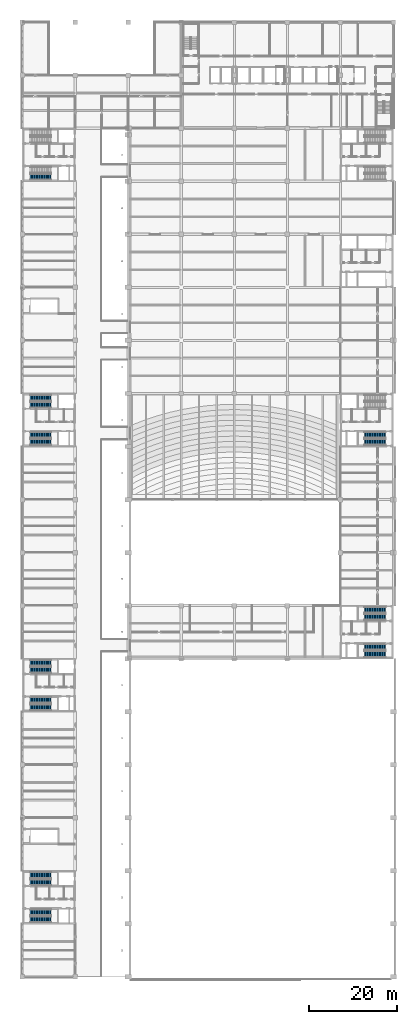
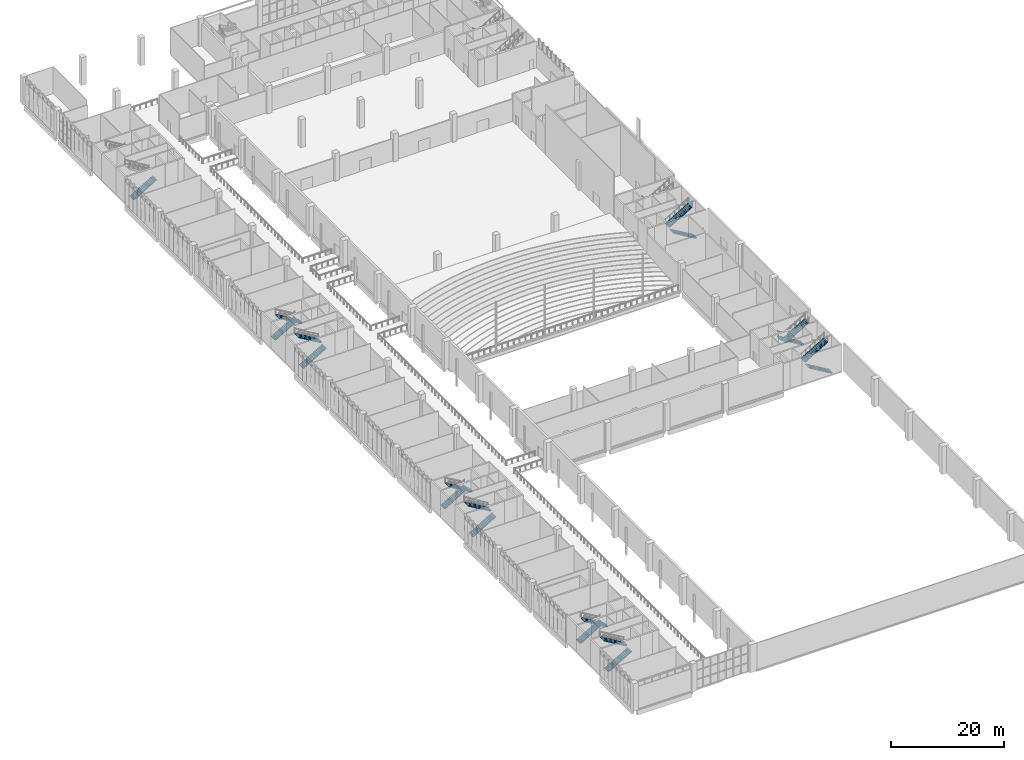
# One storey, part 68 of 72: 19 stair flights, 10 elements without a shape of their own.
"""IFC4 building model written with IfcOpenShell, lengths in metres."""

from ifc_helpers import new_model, si_unit, direction, frame, origin, place, context, subcontext, project, spatial, polyline, outline, extrude, material, type_object, element, aggregate, save


model = new_model("IFC4")

# Units and contexts
model_context = context("Model", 3, precision=1e-05, world=origin(), true_north=direction((0.0, 1.0)))
body_context = subcontext(model_context, "Body", "Model", "MODEL_VIEW")
ifc_project = project(units=[si_unit("LENGTHUNIT", "METRE"), si_unit("AREAUNIT", "SQUARE_METRE"), si_unit("VOLUMEUNIT", "CUBIC_METRE"), si_unit("PLANEANGLEUNIT", "RADIAN"), si_unit("MASSUNIT", "GRAM", prefix="KILO")], contexts=[model_context])

# Site, building, storey
site_placement = place(None, origin())
site = spatial("IfcSite", under=ifc_project, at=site_placement, CompositionType="ELEMENT")
building_placement = place(site_placement, origin())
building = spatial("IfcBuilding", under=site, at=building_placement, Name="Lilac Gate Convention Centre", CompositionType="ELEMENT")
storey_placement = place(building_placement, frame((0.0, 0.0, 6.0)))
storey = spatial("IfcBuildingStorey", under=building, at=storey_placement, Name="L01", CompositionType="ELEMENT", Elevation=6.0)

# Stair, stair flights
ifc_material = material(Name="Concrete C40", Category="concrete")
stair_type = type_object("IfcStairType", Name="Exit stair two flights", PredefinedType="HALF_TURN_STAIR", material=ifc_material)
stair_1_placement = place(storey_placement, origin())
stair_1 = element("IfcStair", 1, at=stair_1_placement, inside=storey, type_object=stair_type, Name="Exit stair W1A L01 to L02", PredefinedType="HALF_TURN_STAIR")
stair_flight_type = type_object("IfcStairFlightType", Name="Stair flight 1400 precast", PredefinedType="STRAIGHT", material=ifc_material)
stair_flight_1_placement = place(storey_placement, frame((7.800048828125, 43.0, 0.0), z_axis=(0.0, 0.0, 1.0), x_axis=(1.0, 0.0, 0.0)))
stair_flight_1 = element("IfcStairFlight", 2, at=stair_flight_1_placement, type_object=stair_flight_type, Name="ST3 flight 1", NumberOfRisers=18, NumberOfTreads=17, PredefinedType="STRAIGHT", RiserHeight=0.166666667, TreadLength=0.28, context=body_context, shape_type="SweptSolid", body=[
    extrude(outline(polyline([(0.0, 0.0), (0.0, 0.166748046875), (0.280029296875, 0.166748046875), (0.280029296875, 0.333251953125), (0.56005859375, 0.333251953125), (0.56005859375, 0.5), (0.840087890625, 0.5), (0.840087890625, 0.666748046875), (1.1201171875, 0.666748046875), (1.1201171875, 0.833251953125), (1.39990234375, 0.833251953125), (1.39990234375, 1.0), (1.679931640625, 1.0), (1.679931640625, 1.166748046875), (1.9599609375, 1.166748046875), (1.9599609375, 1.333251953125), (2.239990234375, 1.333251953125), (2.239990234375, 1.5), (2.52001953125, 1.5), (2.52001953125, 1.666748046875), (2.800048828125, 1.666748046875), (2.800048828125, 1.833251953125), (3.080078125, 1.833251953125), (3.080078125, 2.0), (3.360107421875, 2.0), (3.360107421875, 2.166748046875), (3.639892578125, 2.166748046875), (3.639892578125, 2.333251953125), (3.919921875, 2.333251953125), (3.919921875, 2.5), (4.199951171875, 2.5), (4.199951171875, 2.666748046875), (4.47998046875, 2.666748046875), (4.47998046875, 2.833251953125), (4.760009765625, 2.833251953125), (4.760009765625, 3.0), (4.760009765625, 2.658935546875), (0.29296875, 0.0), (0.0, 0.0)])), frame((0.0, 0.699951171875, 0.0), z_axis=(0.0, -1.0, 0.0), x_axis=(1.0, 0.0, 0.0)), (0.0, 0.0, 1.0), 1.39990234375),
])
stair_flight_2_placement = place(storey_placement, frame((12.56005859375, 44.60009765625, 3.0), z_axis=(0.0, 0.0, 1.0), x_axis=(-1.0, 0.0, 0.0)))
stair_flight_2 = element("IfcStairFlight", 3, at=stair_flight_2_placement, type_object=stair_flight_type, Name="ST3 flight 2", NumberOfRisers=18, NumberOfTreads=17, PredefinedType="STRAIGHT", RiserHeight=0.166666667, TreadLength=0.28, context=body_context, shape_type="SweptSolid", body=[
    extrude(outline(polyline([(0.0, 0.0), (0.0, 0.166748046875), (0.280029296875, 0.166748046875), (0.280029296875, 0.333251953125), (0.56005859375, 0.333251953125), (0.56005859375, 0.5), (0.840087890625, 0.5), (0.840087890625, 0.666748046875), (1.1201171875, 0.666748046875), (1.1201171875, 0.833251953125), (1.39990234375, 0.833251953125), (1.39990234375, 1.0), (1.679931640625, 1.0), (1.679931640625, 1.166748046875), (1.9599609375, 1.166748046875), (1.9599609375, 1.333251953125), (2.239990234375, 1.333251953125), (2.239990234375, 1.5), (2.52001953125, 1.5), (2.52001953125, 1.666748046875), (2.800048828125, 1.666748046875), (2.800048828125, 1.833251953125), (3.080078125, 1.833251953125), (3.080078125, 2.0), (3.360107421875, 2.0), (3.360107421875, 2.166748046875), (3.639892578125, 2.166748046875), (3.639892578125, 2.333251953125), (3.919921875, 2.333251953125), (3.919921875, 2.5), (4.199951171875, 2.5), (4.199951171875, 2.666748046875), (4.47998046875, 2.666748046875), (4.47998046875, 2.833251953125), (4.760009765625, 2.833251953125), (4.760009765625, 3.0), (4.760009765625, 2.658935546875), (0.29296875, 0.0), (0.0, 0.0)])), frame((0.0, 0.699951171875, 0.0), z_axis=(0.0, -1.0, 0.0), x_axis=(1.0, 0.0, 0.0)), (0.0, 0.0, 1.0), 1.39990234375),
])
aggregate(stair_1, [stair_flight_1, stair_flight_2])

stair_2_placement = place(storey_placement, origin())
stair_2 = element("IfcStair", 4, at=stair_2_placement, inside=storey, type_object=stair_type, Name="Exit stair W1B L01 to L02", PredefinedType="HALF_TURN_STAIR")
stair_flight_3_placement = place(storey_placement, frame((7.800048828125, 53.0, 0.0), z_axis=(0.0, 0.0, 1.0), x_axis=(1.0, 0.0, 0.0)))
stair_flight_3 = element("IfcStairFlight", 5, at=stair_flight_3_placement, type_object=stair_flight_type, Name="ST4 flight 1", NumberOfRisers=18, NumberOfTreads=17, PredefinedType="STRAIGHT", RiserHeight=0.166666667, TreadLength=0.28, context=body_context, shape_type="SweptSolid", body=[
    extrude(outline(polyline([(0.0, 0.0), (0.0, 0.166748046875), (0.280029296875, 0.166748046875), (0.280029296875, 0.333251953125), (0.56005859375, 0.333251953125), (0.56005859375, 0.5), (0.840087890625, 0.5), (0.840087890625, 0.666748046875), (1.1201171875, 0.666748046875), (1.1201171875, 0.833251953125), (1.39990234375, 0.833251953125), (1.39990234375, 1.0), (1.679931640625, 1.0), (1.679931640625, 1.166748046875), (1.9599609375, 1.166748046875), (1.9599609375, 1.333251953125), (2.239990234375, 1.333251953125), (2.239990234375, 1.5), (2.52001953125, 1.5), (2.52001953125, 1.666748046875), (2.800048828125, 1.666748046875), (2.800048828125, 1.833251953125), (3.080078125, 1.833251953125), (3.080078125, 2.0), (3.360107421875, 2.0), (3.360107421875, 2.166748046875), (3.639892578125, 2.166748046875), (3.639892578125, 2.333251953125), (3.919921875, 2.333251953125), (3.919921875, 2.5), (4.199951171875, 2.5), (4.199951171875, 2.666748046875), (4.47998046875, 2.666748046875), (4.47998046875, 2.833251953125), (4.760009765625, 2.833251953125), (4.760009765625, 3.0), (4.760009765625, 2.658935546875), (0.29296875, 0.0), (0.0, 0.0)])), frame((0.0, 0.699951171875, 0.0), z_axis=(0.0, -1.0, 0.0), x_axis=(1.0, 0.0, 0.0)), (0.0, 0.0, 1.0), 1.39990234375),
])
stair_flight_4_placement = place(storey_placement, frame((12.56005859375, 51.39990234375, 3.0), z_axis=(0.0, 0.0, 1.0), x_axis=(-1.0, 0.0, 0.0)))
stair_flight_4 = element("IfcStairFlight", 6, at=stair_flight_4_placement, type_object=stair_flight_type, Name="ST4 flight 2", NumberOfRisers=18, NumberOfTreads=17, PredefinedType="STRAIGHT", RiserHeight=0.166666667, TreadLength=0.28, context=body_context, shape_type="SweptSolid", body=[
    extrude(outline(polyline([(0.0, 0.0), (0.0, 0.166748046875), (0.280029296875, 0.166748046875), (0.280029296875, 0.333251953125), (0.56005859375, 0.333251953125), (0.56005859375, 0.5), (0.840087890625, 0.5), (0.840087890625, 0.666748046875), (1.1201171875, 0.666748046875), (1.1201171875, 0.833251953125), (1.39990234375, 0.833251953125), (1.39990234375, 1.0), (1.679931640625, 1.0), (1.679931640625, 1.166748046875), (1.9599609375, 1.166748046875), (1.9599609375, 1.333251953125), (2.239990234375, 1.333251953125), (2.239990234375, 1.5), (2.52001953125, 1.5), (2.52001953125, 1.666748046875), (2.800048828125, 1.666748046875), (2.800048828125, 1.833251953125), (3.080078125, 1.833251953125), (3.080078125, 2.0), (3.360107421875, 2.0), (3.360107421875, 2.166748046875), (3.639892578125, 2.166748046875), (3.639892578125, 2.333251953125), (3.919921875, 2.333251953125), (3.919921875, 2.5), (4.199951171875, 2.5), (4.199951171875, 2.666748046875), (4.47998046875, 2.666748046875), (4.47998046875, 2.833251953125), (4.760009765625, 2.833251953125), (4.760009765625, 3.0), (4.760009765625, 2.658935546875), (0.29296875, 0.0), (0.0, 0.0)])), frame((0.0, 0.699951171875, 0.0), z_axis=(0.0, -1.0, 0.0), x_axis=(1.0, 0.0, 0.0)), (0.0, 0.0, 1.0), 1.39990234375),
])
aggregate(stair_2, [stair_flight_3, stair_flight_4])

stair_3_placement = place(storey_placement, origin())
stair_3 = element("IfcStair", 7, at=stair_3_placement, inside=storey, type_object=stair_type, Name="Exit stair W2A L01 to L02", PredefinedType="HALF_TURN_STAIR")
stair_flight_5_placement = place(storey_placement, frame((7.800048828125, 91.0, 0.0), z_axis=(0.0, 0.0, 1.0), x_axis=(1.0, 0.0, 0.0)))
stair_flight_5 = element("IfcStairFlight", 8, at=stair_flight_5_placement, type_object=stair_flight_type, Name="ST9 flight 1", NumberOfRisers=18, NumberOfTreads=17, PredefinedType="STRAIGHT", RiserHeight=0.166666667, TreadLength=0.28, context=body_context, shape_type="SweptSolid", body=[
    extrude(outline(polyline([(0.0, 0.0), (0.0, 0.166748046875), (0.280029296875, 0.166748046875), (0.280029296875, 0.333251953125), (0.56005859375, 0.333251953125), (0.56005859375, 0.5), (0.840087890625, 0.5), (0.840087890625, 0.666748046875), (1.1201171875, 0.666748046875), (1.1201171875, 0.833251953125), (1.39990234375, 0.833251953125), (1.39990234375, 1.0), (1.679931640625, 1.0), (1.679931640625, 1.166748046875), (1.9599609375, 1.166748046875), (1.9599609375, 1.333251953125), (2.239990234375, 1.333251953125), (2.239990234375, 1.5), (2.52001953125, 1.5), (2.52001953125, 1.666748046875), (2.800048828125, 1.666748046875), (2.800048828125, 1.833251953125), (3.080078125, 1.833251953125), (3.080078125, 2.0), (3.360107421875, 2.0), (3.360107421875, 2.166748046875), (3.639892578125, 2.166748046875), (3.639892578125, 2.333251953125), (3.919921875, 2.333251953125), (3.919921875, 2.5), (4.199951171875, 2.5), (4.199951171875, 2.666748046875), (4.47998046875, 2.666748046875), (4.47998046875, 2.833251953125), (4.760009765625, 2.833251953125), (4.760009765625, 3.0), (4.760009765625, 2.658935546875), (0.29296875, 0.0), (0.0, 0.0)])), frame((0.0, 0.699951171875, 0.0), z_axis=(0.0, -1.0, 0.0), x_axis=(1.0, 0.0, 0.0)), (0.0, 0.0, 1.0), 1.39990234375),
])
stair_flight_6_placement = place(storey_placement, frame((12.56005859375, 92.60009765625, 3.0), z_axis=(0.0, 0.0, 1.0), x_axis=(-1.0, 0.0, 0.0)))
stair_flight_6 = element("IfcStairFlight", 9, at=stair_flight_6_placement, type_object=stair_flight_type, Name="ST9 flight 2", NumberOfRisers=18, NumberOfTreads=17, PredefinedType="STRAIGHT", RiserHeight=0.166666667, TreadLength=0.28, context=body_context, shape_type="SweptSolid", body=[
    extrude(outline(polyline([(0.0, 0.0), (0.0, 0.166748046875), (0.280029296875, 0.166748046875), (0.280029296875, 0.333251953125), (0.56005859375, 0.333251953125), (0.56005859375, 0.5), (0.840087890625, 0.5), (0.840087890625, 0.666748046875), (1.1201171875, 0.666748046875), (1.1201171875, 0.833251953125), (1.39990234375, 0.833251953125), (1.39990234375, 1.0), (1.679931640625, 1.0), (1.679931640625, 1.166748046875), (1.9599609375, 1.166748046875), (1.9599609375, 1.333251953125), (2.239990234375, 1.333251953125), (2.239990234375, 1.5), (2.52001953125, 1.5), (2.52001953125, 1.666748046875), (2.800048828125, 1.666748046875), (2.800048828125, 1.833251953125), (3.080078125, 1.833251953125), (3.080078125, 2.0), (3.360107421875, 2.0), (3.360107421875, 2.166748046875), (3.639892578125, 2.166748046875), (3.639892578125, 2.333251953125), (3.919921875, 2.333251953125), (3.919921875, 2.5), (4.199951171875, 2.5), (4.199951171875, 2.666748046875), (4.47998046875, 2.666748046875), (4.47998046875, 2.833251953125), (4.760009765625, 2.833251953125), (4.760009765625, 3.0), (4.760009765625, 2.658935546875), (0.29296875, 0.0), (0.0, 0.0)])), frame((0.0, 0.699951171875, 0.0), z_axis=(0.0, -1.0, 0.0), x_axis=(1.0, 0.0, 0.0)), (0.0, 0.0, 1.0), 1.39990234375),
])
aggregate(stair_3, [stair_flight_5, stair_flight_6])

stair_4_placement = place(storey_placement, origin())
stair_4 = element("IfcStair", 10, at=stair_4_placement, inside=storey, type_object=stair_type, Name="Exit stair W2B L01 to L02", PredefinedType="HALF_TURN_STAIR")
stair_flight_7_placement = place(storey_placement, frame((7.800048828125, 101.0, 0.0), z_axis=(0.0, 0.0, 1.0), x_axis=(1.0, 0.0, 0.0)))
stair_flight_7 = element("IfcStairFlight", 11, at=stair_flight_7_placement, type_object=stair_flight_type, Name="ST10 flight 1", NumberOfRisers=18, NumberOfTreads=17, PredefinedType="STRAIGHT", RiserHeight=0.166666667, TreadLength=0.28, context=body_context, shape_type="SweptSolid", body=[
    extrude(outline(polyline([(0.0, 0.0), (0.0, 0.166748046875), (0.280029296875, 0.166748046875), (0.280029296875, 0.333251953125), (0.56005859375, 0.333251953125), (0.56005859375, 0.5), (0.840087890625, 0.5), (0.840087890625, 0.666748046875), (1.1201171875, 0.666748046875), (1.1201171875, 0.833251953125), (1.39990234375, 0.833251953125), (1.39990234375, 1.0), (1.679931640625, 1.0), (1.679931640625, 1.166748046875), (1.9599609375, 1.166748046875), (1.9599609375, 1.333251953125), (2.239990234375, 1.333251953125), (2.239990234375, 1.5), (2.52001953125, 1.5), (2.52001953125, 1.666748046875), (2.800048828125, 1.666748046875), (2.800048828125, 1.833251953125), (3.080078125, 1.833251953125), (3.080078125, 2.0), (3.360107421875, 2.0), (3.360107421875, 2.166748046875), (3.639892578125, 2.166748046875), (3.639892578125, 2.333251953125), (3.919921875, 2.333251953125), (3.919921875, 2.5), (4.199951171875, 2.5), (4.199951171875, 2.666748046875), (4.47998046875, 2.666748046875), (4.47998046875, 2.833251953125), (4.760009765625, 2.833251953125), (4.760009765625, 3.0), (4.760009765625, 2.658935546875), (0.29296875, 0.0), (0.0, 0.0)])), frame((0.0, 0.699951171875, 0.0), z_axis=(0.0, -1.0, 0.0), x_axis=(1.0, 0.0, 0.0)), (0.0, 0.0, 1.0), 1.39990234375),
])
stair_flight_8_placement = place(storey_placement, frame((12.56005859375, 99.39990234375, 3.0), z_axis=(0.0, 0.0, 1.0), x_axis=(-1.0, 0.0, 0.0)))
stair_flight_8 = element("IfcStairFlight", 12, at=stair_flight_8_placement, type_object=stair_flight_type, Name="ST10 flight 2", NumberOfRisers=18, NumberOfTreads=17, PredefinedType="STRAIGHT", RiserHeight=0.166666667, TreadLength=0.28, context=body_context, shape_type="SweptSolid", body=[
    extrude(outline(polyline([(0.0, 0.0), (0.0, 0.166748046875), (0.280029296875, 0.166748046875), (0.280029296875, 0.333251953125), (0.56005859375, 0.333251953125), (0.56005859375, 0.5), (0.840087890625, 0.5), (0.840087890625, 0.666748046875), (1.1201171875, 0.666748046875), (1.1201171875, 0.833251953125), (1.39990234375, 0.833251953125), (1.39990234375, 1.0), (1.679931640625, 1.0), (1.679931640625, 1.166748046875), (1.9599609375, 1.166748046875), (1.9599609375, 1.333251953125), (2.239990234375, 1.333251953125), (2.239990234375, 1.5), (2.52001953125, 1.5), (2.52001953125, 1.666748046875), (2.800048828125, 1.666748046875), (2.800048828125, 1.833251953125), (3.080078125, 1.833251953125), (3.080078125, 2.0), (3.360107421875, 2.0), (3.360107421875, 2.166748046875), (3.639892578125, 2.166748046875), (3.639892578125, 2.333251953125), (3.919921875, 2.333251953125), (3.919921875, 2.5), (4.199951171875, 2.5), (4.199951171875, 2.666748046875), (4.47998046875, 2.666748046875), (4.47998046875, 2.833251953125), (4.760009765625, 2.833251953125), (4.760009765625, 3.0), (4.760009765625, 2.658935546875), (0.29296875, 0.0), (0.0, 0.0)])), frame((0.0, 0.699951171875, 0.0), z_axis=(0.0, -1.0, 0.0), x_axis=(1.0, 0.0, 0.0)), (0.0, 0.0, 1.0), 1.39990234375),
])
aggregate(stair_4, [stair_flight_7, stair_flight_8])

stair_5_placement = place(storey_placement, origin())
stair_5 = element("IfcStair", 13, at=stair_5_placement, inside=storey, type_object=stair_type, Name="Exit stair W3A L01 to L02", PredefinedType="HALF_TURN_STAIR")
stair_flight_9_placement = place(storey_placement, frame((7.800048828125, 151.0, 0.0), z_axis=(0.0, 0.0, 1.0), x_axis=(1.0, 0.0, 0.0)))
stair_flight_9 = element("IfcStairFlight", 14, at=stair_flight_9_placement, type_object=stair_flight_type, Name="ST15 flight 1", NumberOfRisers=18, NumberOfTreads=17, PredefinedType="STRAIGHT", RiserHeight=0.166666667, TreadLength=0.28, context=body_context, shape_type="SweptSolid", body=[
    extrude(outline(polyline([(0.0, 0.0), (0.0, 0.166748046875), (0.280029296875, 0.166748046875), (0.280029296875, 0.333251953125), (0.56005859375, 0.333251953125), (0.56005859375, 0.5), (0.840087890625, 0.5), (0.840087890625, 0.666748046875), (1.1201171875, 0.666748046875), (1.1201171875, 0.833251953125), (1.39990234375, 0.833251953125), (1.39990234375, 1.0), (1.679931640625, 1.0), (1.679931640625, 1.166748046875), (1.9599609375, 1.166748046875), (1.9599609375, 1.333251953125), (2.239990234375, 1.333251953125), (2.239990234375, 1.5), (2.52001953125, 1.5), (2.52001953125, 1.666748046875), (2.800048828125, 1.666748046875), (2.800048828125, 1.833251953125), (3.080078125, 1.833251953125), (3.080078125, 2.0), (3.360107421875, 2.0), (3.360107421875, 2.166748046875), (3.639892578125, 2.166748046875), (3.639892578125, 2.333251953125), (3.919921875, 2.333251953125), (3.919921875, 2.5), (4.199951171875, 2.5), (4.199951171875, 2.666748046875), (4.47998046875, 2.666748046875), (4.47998046875, 2.833251953125), (4.760009765625, 2.833251953125), (4.760009765625, 3.0), (4.760009765625, 2.658935546875), (0.29296875, 0.0), (0.0, 0.0)])), frame((0.0, 0.699951171875, 0.0), z_axis=(0.0, -1.0, 0.0), x_axis=(1.0, 0.0, 0.0)), (0.0, 0.0, 1.0), 1.39990234375),
])
stair_flight_10_placement = place(storey_placement, frame((12.56005859375, 152.60009765625, 3.0), z_axis=(0.0, 0.0, 1.0), x_axis=(-1.0, 0.0, 0.0)))
stair_flight_10 = element("IfcStairFlight", 15, at=stair_flight_10_placement, type_object=stair_flight_type, Name="ST15 flight 2", NumberOfRisers=18, NumberOfTreads=17, PredefinedType="STRAIGHT", RiserHeight=0.166666667, TreadLength=0.28, context=body_context, shape_type="SweptSolid", body=[
    extrude(outline(polyline([(0.0, 0.0), (0.0, 0.166748046875), (0.280029296875, 0.166748046875), (0.280029296875, 0.333251953125), (0.56005859375, 0.333251953125), (0.56005859375, 0.5), (0.840087890625, 0.5), (0.840087890625, 0.666748046875), (1.1201171875, 0.666748046875), (1.1201171875, 0.833251953125), (1.39990234375, 0.833251953125), (1.39990234375, 1.0), (1.679931640625, 1.0), (1.679931640625, 1.166748046875), (1.9599609375, 1.166748046875), (1.9599609375, 1.333251953125), (2.239990234375, 1.333251953125), (2.239990234375, 1.5), (2.52001953125, 1.5), (2.52001953125, 1.666748046875), (2.800048828125, 1.666748046875), (2.800048828125, 1.833251953125), (3.080078125, 1.833251953125), (3.080078125, 2.0), (3.360107421875, 2.0), (3.360107421875, 2.166748046875), (3.639892578125, 2.166748046875), (3.639892578125, 2.333251953125), (3.919921875, 2.333251953125), (3.919921875, 2.5), (4.199951171875, 2.5), (4.199951171875, 2.666748046875), (4.47998046875, 2.666748046875), (4.47998046875, 2.833251953125), (4.760009765625, 2.833251953125), (4.760009765625, 3.0), (4.760009765625, 2.658935546875), (0.29296875, 0.0), (0.0, 0.0)])), frame((0.0, 0.699951171875, 0.0), z_axis=(0.0, -1.0, 0.0), x_axis=(1.0, 0.0, 0.0)), (0.0, 0.0, 1.0), 1.39990234375),
])
aggregate(stair_5, [stair_flight_9, stair_flight_10])

stair_6_placement = place(storey_placement, origin())
stair_6 = element("IfcStair", 16, at=stair_6_placement, inside=storey, type_object=stair_type, Name="Exit stair W3B L01 to L02", PredefinedType="HALF_TURN_STAIR")
stair_flight_11_placement = place(storey_placement, frame((7.800048828125, 161.0, 0.0), z_axis=(0.0, 0.0, 1.0), x_axis=(1.0, 0.0, 0.0)))
stair_flight_11 = element("IfcStairFlight", 17, at=stair_flight_11_placement, type_object=stair_flight_type, Name="ST16 flight 1", NumberOfRisers=18, NumberOfTreads=17, PredefinedType="STRAIGHT", RiserHeight=0.166666667, TreadLength=0.28, context=body_context, shape_type="SweptSolid", body=[
    extrude(outline(polyline([(0.0, 0.0), (0.0, 0.166748046875), (0.280029296875, 0.166748046875), (0.280029296875, 0.333251953125), (0.56005859375, 0.333251953125), (0.56005859375, 0.5), (0.840087890625, 0.5), (0.840087890625, 0.666748046875), (1.1201171875, 0.666748046875), (1.1201171875, 0.833251953125), (1.39990234375, 0.833251953125), (1.39990234375, 1.0), (1.679931640625, 1.0), (1.679931640625, 1.166748046875), (1.9599609375, 1.166748046875), (1.9599609375, 1.333251953125), (2.239990234375, 1.333251953125), (2.239990234375, 1.5), (2.52001953125, 1.5), (2.52001953125, 1.666748046875), (2.800048828125, 1.666748046875), (2.800048828125, 1.833251953125), (3.080078125, 1.833251953125), (3.080078125, 2.0), (3.360107421875, 2.0), (3.360107421875, 2.166748046875), (3.639892578125, 2.166748046875), (3.639892578125, 2.333251953125), (3.919921875, 2.333251953125), (3.919921875, 2.5), (4.199951171875, 2.5), (4.199951171875, 2.666748046875), (4.47998046875, 2.666748046875), (4.47998046875, 2.833251953125), (4.760009765625, 2.833251953125), (4.760009765625, 3.0), (4.760009765625, 2.658935546875), (0.29296875, 0.0), (0.0, 0.0)])), frame((0.0, 0.699951171875, 0.0), z_axis=(0.0, -1.0, 0.0), x_axis=(1.0, 0.0, 0.0)), (0.0, 0.0, 1.0), 1.39990234375),
])
stair_flight_12_placement = place(storey_placement, frame((12.56005859375, 159.39990234375, 3.0), z_axis=(0.0, 0.0, 1.0), x_axis=(-1.0, 0.0, 0.0)))
stair_flight_12 = element("IfcStairFlight", 18, at=stair_flight_12_placement, type_object=stair_flight_type, Name="ST16 flight 2", NumberOfRisers=18, NumberOfTreads=17, PredefinedType="STRAIGHT", RiserHeight=0.166666667, TreadLength=0.28, context=body_context, shape_type="SweptSolid", body=[
    extrude(outline(polyline([(0.0, 0.0), (0.0, 0.166748046875), (0.280029296875, 0.166748046875), (0.280029296875, 0.333251953125), (0.56005859375, 0.333251953125), (0.56005859375, 0.5), (0.840087890625, 0.5), (0.840087890625, 0.666748046875), (1.1201171875, 0.666748046875), (1.1201171875, 0.833251953125), (1.39990234375, 0.833251953125), (1.39990234375, 1.0), (1.679931640625, 1.0), (1.679931640625, 1.166748046875), (1.9599609375, 1.166748046875), (1.9599609375, 1.333251953125), (2.239990234375, 1.333251953125), (2.239990234375, 1.5), (2.52001953125, 1.5), (2.52001953125, 1.666748046875), (2.800048828125, 1.666748046875), (2.800048828125, 1.833251953125), (3.080078125, 1.833251953125), (3.080078125, 2.0), (3.360107421875, 2.0), (3.360107421875, 2.166748046875), (3.639892578125, 2.166748046875), (3.639892578125, 2.333251953125), (3.919921875, 2.333251953125), (3.919921875, 2.5), (4.199951171875, 2.5), (4.199951171875, 2.666748046875), (4.47998046875, 2.666748046875), (4.47998046875, 2.833251953125), (4.760009765625, 2.833251953125), (4.760009765625, 3.0), (4.760009765625, 2.658935546875), (0.29296875, 0.0), (0.0, 0.0)])), frame((0.0, 0.699951171875, 0.0), z_axis=(0.0, -1.0, 0.0), x_axis=(1.0, 0.0, 0.0)), (0.0, 0.0, 1.0), 1.39990234375),
])
aggregate(stair_6, [stair_flight_11, stair_flight_12])

# Stair, stair flight
stair_7_placement = place(storey_placement, origin())
stair_7 = element("IfcStair", 19, at=stair_7_placement, inside=storey, type_object=stair_type, Name="Exit stair W4A L01 to L02", PredefinedType="HALF_TURN_STAIR")
stair_flight_13_placement = place(storey_placement, frame((7.800048828125, 211.0, 0.0), z_axis=(0.0, 0.0, 1.0), x_axis=(1.0, 0.0, 0.0)))
stair_flight_13 = element("IfcStairFlight", 20, at=stair_flight_13_placement, type_object=stair_flight_type, Name="ST21 flight 1", NumberOfRisers=18, NumberOfTreads=17, PredefinedType="STRAIGHT", RiserHeight=0.166666667, TreadLength=0.28, context=body_context, shape_type="SweptSolid", body=[
    extrude(outline(polyline([(0.0, 0.0), (0.0, 0.166748046875), (0.280029296875, 0.166748046875), (0.280029296875, 0.333251953125), (0.56005859375, 0.333251953125), (0.56005859375, 0.5), (0.840087890625, 0.5), (0.840087890625, 0.666748046875), (1.1201171875, 0.666748046875), (1.1201171875, 0.833251953125), (1.39990234375, 0.833251953125), (1.39990234375, 1.0), (1.679931640625, 1.0), (1.679931640625, 1.166748046875), (1.9599609375, 1.166748046875), (1.9599609375, 1.333251953125), (2.239990234375, 1.333251953125), (2.239990234375, 1.5), (2.52001953125, 1.5), (2.52001953125, 1.666748046875), (2.800048828125, 1.666748046875), (2.800048828125, 1.833251953125), (3.080078125, 1.833251953125), (3.080078125, 2.0), (3.360107421875, 2.0), (3.360107421875, 2.166748046875), (3.639892578125, 2.166748046875), (3.639892578125, 2.333251953125), (3.919921875, 2.333251953125), (3.919921875, 2.5), (4.199951171875, 2.5), (4.199951171875, 2.666748046875), (4.47998046875, 2.666748046875), (4.47998046875, 2.833251953125), (4.760009765625, 2.833251953125), (4.760009765625, 3.0), (4.760009765625, 2.658935546875), (0.29296875, 0.0), (0.0, 0.0)])), frame((0.0, 0.699951171875, 0.0), z_axis=(0.0, -1.0, 0.0), x_axis=(1.0, 0.0, 0.0)), (0.0, 0.0, 1.0), 1.39990234375),
])
aggregate(stair_7, [stair_flight_13])

# Stair, stair flights
stair_8_placement = place(storey_placement, origin())
stair_8 = element("IfcStair", 21, at=stair_8_placement, inside=storey, type_object=stair_type, Name="Exit stair E1A L01 to L02", PredefinedType="HALF_TURN_STAIR")
stair_flight_14_placement = place(storey_placement, frame((88.199951171875, 103.0, 0.0), z_axis=(0.0, 0.0, 1.0), x_axis=(-1.0, 0.0, 0.0)))
stair_flight_14 = element("IfcStairFlight", 22, at=stair_flight_14_placement, type_object=stair_flight_type, Name="ST27 flight 1", NumberOfRisers=18, NumberOfTreads=17, PredefinedType="STRAIGHT", RiserHeight=0.166666667, TreadLength=0.28, context=body_context, shape_type="SweptSolid", body=[
    extrude(outline(polyline([(0.0, 0.0), (0.0, 0.166748046875), (0.280029296875, 0.166748046875), (0.280029296875, 0.333251953125), (0.56005859375, 0.333251953125), (0.56005859375, 0.5), (0.840087890625, 0.5), (0.840087890625, 0.666748046875), (1.1201171875, 0.666748046875), (1.1201171875, 0.833251953125), (1.39990234375, 0.833251953125), (1.39990234375, 1.0), (1.679931640625, 1.0), (1.679931640625, 1.166748046875), (1.9599609375, 1.166748046875), (1.9599609375, 1.333251953125), (2.239990234375, 1.333251953125), (2.239990234375, 1.5), (2.52001953125, 1.5), (2.52001953125, 1.666748046875), (2.800048828125, 1.666748046875), (2.800048828125, 1.833251953125), (3.080078125, 1.833251953125), (3.080078125, 2.0), (3.360107421875, 2.0), (3.360107421875, 2.166748046875), (3.639892578125, 2.166748046875), (3.639892578125, 2.333251953125), (3.919921875, 2.333251953125), (3.919921875, 2.5), (4.199951171875, 2.5), (4.199951171875, 2.666748046875), (4.47998046875, 2.666748046875), (4.47998046875, 2.833251953125), (4.760009765625, 2.833251953125), (4.760009765625, 3.0), (4.760009765625, 2.658935546875), (0.29296875, 0.0), (0.0, 0.0)])), frame((0.0, 0.699951171875, 0.0), z_axis=(0.0, -1.0, 0.0), x_axis=(1.0, 0.0, 0.0)), (0.0, 0.0, 1.0), 1.39990234375),
])
stair_flight_15_placement = place(storey_placement, frame((83.43994140625, 104.60009765625, 3.0), z_axis=(0.0, 0.0, 1.0), x_axis=(1.0, 0.0, 0.0)))
stair_flight_15 = element("IfcStairFlight", 23, at=stair_flight_15_placement, type_object=stair_flight_type, Name="ST27 flight 2", NumberOfRisers=18, NumberOfTreads=17, PredefinedType="STRAIGHT", RiserHeight=0.166666667, TreadLength=0.28, context=body_context, shape_type="SweptSolid", body=[
    extrude(outline(polyline([(0.0, 0.0), (0.0, 0.166748046875), (0.280029296875, 0.166748046875), (0.280029296875, 0.333251953125), (0.56005859375, 0.333251953125), (0.56005859375, 0.5), (0.840087890625, 0.5), (0.840087890625, 0.666748046875), (1.1201171875, 0.666748046875), (1.1201171875, 0.833251953125), (1.39990234375, 0.833251953125), (1.39990234375, 1.0), (1.679931640625, 1.0), (1.679931640625, 1.166748046875), (1.9599609375, 1.166748046875), (1.9599609375, 1.333251953125), (2.239990234375, 1.333251953125), (2.239990234375, 1.5), (2.52001953125, 1.5), (2.52001953125, 1.666748046875), (2.800048828125, 1.666748046875), (2.800048828125, 1.833251953125), (3.080078125, 1.833251953125), (3.080078125, 2.0), (3.360107421875, 2.0), (3.360107421875, 2.166748046875), (3.639892578125, 2.166748046875), (3.639892578125, 2.333251953125), (3.919921875, 2.333251953125), (3.919921875, 2.5), (4.199951171875, 2.5), (4.199951171875, 2.666748046875), (4.47998046875, 2.666748046875), (4.47998046875, 2.833251953125), (4.760009765625, 2.833251953125), (4.760009765625, 3.0), (4.760009765625, 2.658935546875), (0.29296875, 0.0), (0.0, 0.0)])), frame((0.0, 0.699951171875, 0.0), z_axis=(0.0, -1.0, 0.0), x_axis=(1.0, 0.0, 0.0)), (0.0, 0.0, 1.0), 1.39990234375),
])
aggregate(stair_8, [stair_flight_14, stair_flight_15])

stair_9_placement = place(storey_placement, origin())
stair_9 = element("IfcStair", 24, at=stair_9_placement, inside=storey, type_object=stair_type, Name="Exit stair E1B L01 to L02", PredefinedType="HALF_TURN_STAIR")
stair_flight_16_placement = place(storey_placement, frame((88.199951171875, 113.0, 0.0), z_axis=(0.0, 0.0, 1.0), x_axis=(-1.0, 0.0, 0.0)))
stair_flight_16 = element("IfcStairFlight", 25, at=stair_flight_16_placement, type_object=stair_flight_type, Name="ST28 flight 1", NumberOfRisers=18, NumberOfTreads=17, PredefinedType="STRAIGHT", RiserHeight=0.166666667, TreadLength=0.28, context=body_context, shape_type="SweptSolid", body=[
    extrude(outline(polyline([(0.0, 0.0), (0.0, 0.166748046875), (0.280029296875, 0.166748046875), (0.280029296875, 0.333251953125), (0.56005859375, 0.333251953125), (0.56005859375, 0.5), (0.840087890625, 0.5), (0.840087890625, 0.666748046875), (1.1201171875, 0.666748046875), (1.1201171875, 0.833251953125), (1.39990234375, 0.833251953125), (1.39990234375, 1.0), (1.679931640625, 1.0), (1.679931640625, 1.166748046875), (1.9599609375, 1.166748046875), (1.9599609375, 1.333251953125), (2.239990234375, 1.333251953125), (2.239990234375, 1.5), (2.52001953125, 1.5), (2.52001953125, 1.666748046875), (2.800048828125, 1.666748046875), (2.800048828125, 1.833251953125), (3.080078125, 1.833251953125), (3.080078125, 2.0), (3.360107421875, 2.0), (3.360107421875, 2.166748046875), (3.639892578125, 2.166748046875), (3.639892578125, 2.333251953125), (3.919921875, 2.333251953125), (3.919921875, 2.5), (4.199951171875, 2.5), (4.199951171875, 2.666748046875), (4.47998046875, 2.666748046875), (4.47998046875, 2.833251953125), (4.760009765625, 2.833251953125), (4.760009765625, 3.0), (4.760009765625, 2.658935546875), (0.29296875, 0.0), (0.0, 0.0)])), frame((0.0, 0.699951171875, 0.0), z_axis=(0.0, -1.0, 0.0), x_axis=(1.0, 0.0, 0.0)), (0.0, 0.0, 1.0), 1.39990234375),
])
stair_flight_17_placement = place(storey_placement, frame((83.43994140625, 111.39990234375, 3.0), z_axis=(0.0, 0.0, 1.0), x_axis=(1.0, 0.0, 0.0)))
stair_flight_17 = element("IfcStairFlight", 26, at=stair_flight_17_placement, type_object=stair_flight_type, Name="ST28 flight 2", NumberOfRisers=18, NumberOfTreads=17, PredefinedType="STRAIGHT", RiserHeight=0.166666667, TreadLength=0.28, context=body_context, shape_type="SweptSolid", body=[
    extrude(outline(polyline([(0.0, 0.0), (0.0, 0.166748046875), (0.280029296875, 0.166748046875), (0.280029296875, 0.333251953125), (0.56005859375, 0.333251953125), (0.56005859375, 0.5), (0.840087890625, 0.5), (0.840087890625, 0.666748046875), (1.1201171875, 0.666748046875), (1.1201171875, 0.833251953125), (1.39990234375, 0.833251953125), (1.39990234375, 1.0), (1.679931640625, 1.0), (1.679931640625, 1.166748046875), (1.9599609375, 1.166748046875), (1.9599609375, 1.333251953125), (2.239990234375, 1.333251953125), (2.239990234375, 1.5), (2.52001953125, 1.5), (2.52001953125, 1.666748046875), (2.800048828125, 1.666748046875), (2.800048828125, 1.833251953125), (3.080078125, 1.833251953125), (3.080078125, 2.0), (3.360107421875, 2.0), (3.360107421875, 2.166748046875), (3.639892578125, 2.166748046875), (3.639892578125, 2.333251953125), (3.919921875, 2.333251953125), (3.919921875, 2.5), (4.199951171875, 2.5), (4.199951171875, 2.666748046875), (4.47998046875, 2.666748046875), (4.47998046875, 2.833251953125), (4.760009765625, 2.833251953125), (4.760009765625, 3.0), (4.760009765625, 2.658935546875), (0.29296875, 0.0), (0.0, 0.0)])), frame((0.0, 0.699951171875, 0.0), z_axis=(0.0, -1.0, 0.0), x_axis=(1.0, 0.0, 0.0)), (0.0, 0.0, 1.0), 1.39990234375),
])
aggregate(stair_9, [stair_flight_16, stair_flight_17])

stair_10_placement = place(storey_placement, origin())
stair_10 = element("IfcStair", 27, at=stair_10_placement, inside=storey, type_object=stair_type, Name="Exit stair E2A L01 to L02", PredefinedType="HALF_TURN_STAIR")
stair_flight_18_placement = place(storey_placement, frame((88.199951171875, 151.0, 0.0), z_axis=(0.0, 0.0, 1.0), x_axis=(-1.0, 0.0, 0.0)))
stair_flight_18 = element("IfcStairFlight", 28, at=stair_flight_18_placement, type_object=stair_flight_type, Name="ST31 flight 1", NumberOfRisers=18, NumberOfTreads=17, PredefinedType="STRAIGHT", RiserHeight=0.166666667, TreadLength=0.28, context=body_context, shape_type="SweptSolid", body=[
    extrude(outline(polyline([(0.0, 0.0), (0.0, 0.166748046875), (0.280029296875, 0.166748046875), (0.280029296875, 0.333251953125), (0.56005859375, 0.333251953125), (0.56005859375, 0.5), (0.840087890625, 0.5), (0.840087890625, 0.666748046875), (1.1201171875, 0.666748046875), (1.1201171875, 0.833251953125), (1.39990234375, 0.833251953125), (1.39990234375, 1.0), (1.679931640625, 1.0), (1.679931640625, 1.166748046875), (1.9599609375, 1.166748046875), (1.9599609375, 1.333251953125), (2.239990234375, 1.333251953125), (2.239990234375, 1.5), (2.52001953125, 1.5), (2.52001953125, 1.666748046875), (2.800048828125, 1.666748046875), (2.800048828125, 1.833251953125), (3.080078125, 1.833251953125), (3.080078125, 2.0), (3.360107421875, 2.0), (3.360107421875, 2.166748046875), (3.639892578125, 2.166748046875), (3.639892578125, 2.333251953125), (3.919921875, 2.333251953125), (3.919921875, 2.5), (4.199951171875, 2.5), (4.199951171875, 2.666748046875), (4.47998046875, 2.666748046875), (4.47998046875, 2.833251953125), (4.760009765625, 2.833251953125), (4.760009765625, 3.0), (4.760009765625, 2.658935546875), (0.29296875, 0.0), (0.0, 0.0)])), frame((0.0, 0.699951171875, 0.0), z_axis=(0.0, -1.0, 0.0), x_axis=(1.0, 0.0, 0.0)), (0.0, 0.0, 1.0), 1.39990234375),
])
stair_flight_19_placement = place(storey_placement, frame((83.43994140625, 152.60009765625, 3.0), z_axis=(0.0, 0.0, 1.0), x_axis=(1.0, 0.0, 0.0)))
stair_flight_19 = element("IfcStairFlight", 29, at=stair_flight_19_placement, type_object=stair_flight_type, Name="ST31 flight 2", NumberOfRisers=18, NumberOfTreads=17, PredefinedType="STRAIGHT", RiserHeight=0.166666667, TreadLength=0.28, context=body_context, shape_type="SweptSolid", body=[
    extrude(outline(polyline([(0.0, 0.0), (0.0, 0.166748046875), (0.280029296875, 0.166748046875), (0.280029296875, 0.333251953125), (0.56005859375, 0.333251953125), (0.56005859375, 0.5), (0.840087890625, 0.5), (0.840087890625, 0.666748046875), (1.1201171875, 0.666748046875), (1.1201171875, 0.833251953125), (1.39990234375, 0.833251953125), (1.39990234375, 1.0), (1.679931640625, 1.0), (1.679931640625, 1.166748046875), (1.9599609375, 1.166748046875), (1.9599609375, 1.333251953125), (2.239990234375, 1.333251953125), (2.239990234375, 1.5), (2.52001953125, 1.5), (2.52001953125, 1.666748046875), (2.800048828125, 1.666748046875), (2.800048828125, 1.833251953125), (3.080078125, 1.833251953125), (3.080078125, 2.0), (3.360107421875, 2.0), (3.360107421875, 2.166748046875), (3.639892578125, 2.166748046875), (3.639892578125, 2.333251953125), (3.919921875, 2.333251953125), (3.919921875, 2.5), (4.199951171875, 2.5), (4.199951171875, 2.666748046875), (4.47998046875, 2.666748046875), (4.47998046875, 2.833251953125), (4.760009765625, 2.833251953125), (4.760009765625, 3.0), (4.760009765625, 2.658935546875), (0.29296875, 0.0), (0.0, 0.0)])), frame((0.0, 0.699951171875, 0.0), z_axis=(0.0, -1.0, 0.0), x_axis=(1.0, 0.0, 0.0)), (0.0, 0.0, 1.0), 1.39990234375),
])
aggregate(stair_10, [stair_flight_18, stair_flight_19])

save(model, "model.ifc")
